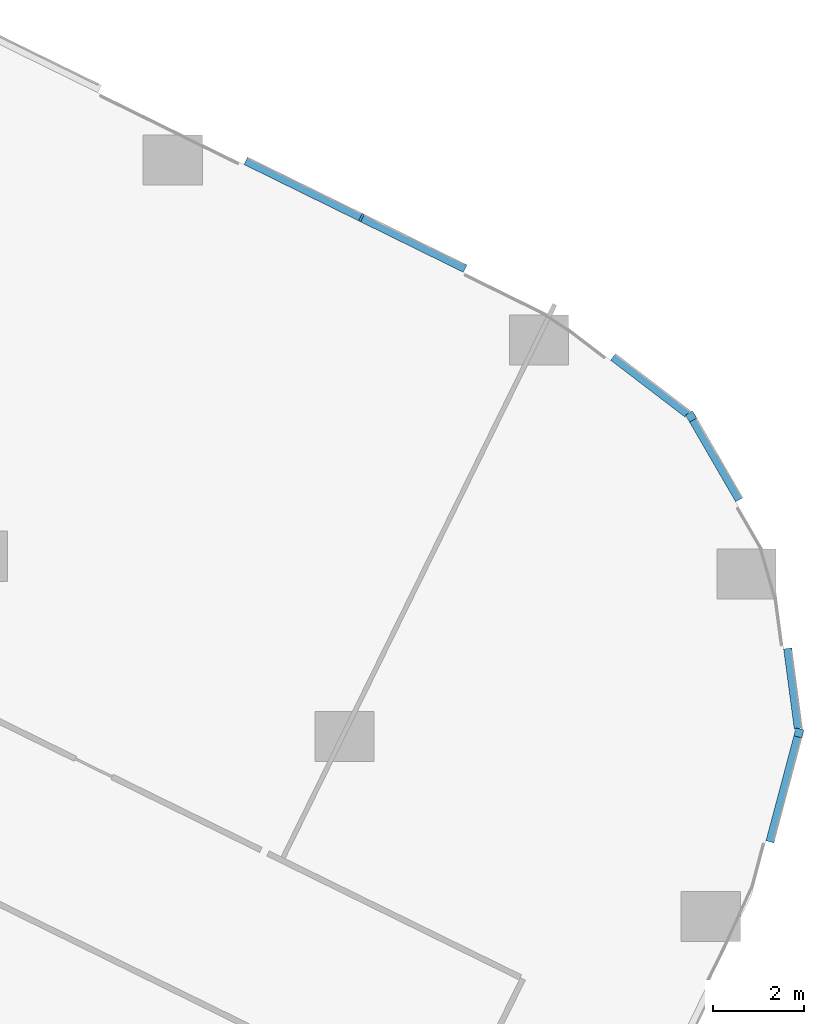
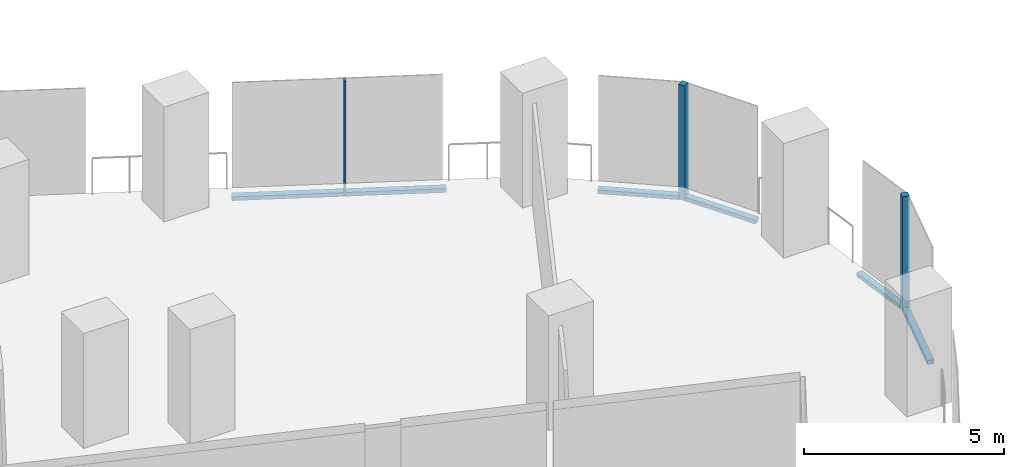
# One storey, part 11 of 32: 8 members, 5 elements without a shape of their own.
"""IFC4 building model written with IfcOpenShell, lengths in metres."""

from ifc_helpers import new_model, si_unit, direction, frame, origin, origin_2d, place, context, subcontext, project, spatial, rectangle, extrude, material, material_profile, profile_set, type_object, element, aggregate, save


model = new_model("IFC4")

# Units and contexts
model_context = context("Model", 3, precision=1e-05, world=origin(), true_north=direction((0.0, 1.0)))
body_context = subcontext(model_context, "Body", "Model", "MODEL_VIEW")
ifc_project = project(units=[si_unit("LENGTHUNIT", "METRE"), si_unit("AREAUNIT", "SQUARE_METRE"), si_unit("VOLUMEUNIT", "CUBIC_METRE"), si_unit("PLANEANGLEUNIT", "RADIAN"), si_unit("MASSUNIT", "GRAM", prefix="KILO")], contexts=[model_context])

# Site, building, storey
site_placement = place(None, origin())
site = spatial("IfcSite", under=ifc_project, at=site_placement, CompositionType="ELEMENT")
building_placement = place(site_placement, origin())
building = spatial("IfcBuilding", under=site, at=building_placement, Name="Orlundy Tower", CompositionType="ELEMENT")
storey_placement = place(building_placement, frame((0.0, 0.0, 58.800048828125)))
storey = spatial("IfcBuildingStorey", under=building, at=storey_placement, Name="L13", CompositionType="ELEMENT", Elevation=58.800048828125)

# Curtain wall, member
ifc_material_1 = material(Name="Aluminium bronze anodised", Category="aluminium")
curtain_wall_type = type_object("IfcCurtainWallType", Name="CW1 wall", PredefinedType="NOTDEFINED", material=ifc_material_1)
curtain_wall_1_placement = place(storey_placement, origin())
curtain_wall_1 = element("IfcCurtainWall", 1, at=curtain_wall_1_placement, inside=storey, type_object=curtain_wall_type, Name="CW1 run 020", PredefinedType="NOTDEFINED")
ifc_material_2 = material(Name="Aluminium bronze anodised", Category="aluminium")
ifc_material_profile_1 = material_profile(ifc_material_2, rectangle(XDim=0.179931640625, YDim=0.179931640625, at=origin_2d()), Name="CW1 corner post 180x180")
ifc_profile_set_1 = profile_set([ifc_material_profile_1], Name="Aluminium bronze anodised")
member_type_1 = type_object("IfcMemberType", Name="CW1 corner post 180x180", PredefinedType="MULLION", material=ifc_profile_set_1)
member_1_placement = place(storey_placement, frame((57.60595703125, -6.7314453125, -0.400146484375), z_axis=(0.0, 0.0, 1.0), x_axis=(0.865340088782, 0.501185126223, 0.0)))
member_1 = element("IfcMember", 2, at=member_1_placement, type_object=member_type_1, Name="CW1 mullion 58", PredefinedType="MULLION", context=body_context, shape_type="SweptSolid", body=[
    extrude(rectangle(XDim=0.179931640625, YDim=0.179931640625, at=origin_2d()), origin(), (0.0, 0.0, 1.0), 3.5),
])

curtain_wall_2_placement = place(storey_placement, origin())
curtain_wall_2 = element("IfcCurtainWall", 3, at=curtain_wall_2_placement, inside=storey, type_object=curtain_wall_type, Name="CW1 run 022", PredefinedType="NOTDEFINED")
member_2_placement = place(storey_placement, frame((59.9755859375, -13.679931640625, -0.400146484375), z_axis=(0.0, 0.0, 1.0), x_axis=(0.966315487466, -0.257360406209, 0.0)))
member_2 = element("IfcMember", 4, at=member_2_placement, type_object=member_type_1, Name="CW1 mullion 60", PredefinedType="MULLION", context=body_context, shape_type="SweptSolid", body=[
    extrude(rectangle(XDim=0.179931640625, YDim=0.179931640625, at=origin_2d()), origin(), (0.0, 0.0, 1.0), 3.5),
])

# Curtain wall, members
curtain_wall_3_placement = place(storey_placement, origin())
curtain_wall_3 = element("IfcCurtainWall", 5, at=curtain_wall_3_placement, inside=storey, type_object=curtain_wall_type, Name="CW1 run 018", PredefinedType="NOTDEFINED")
ifc_material_3 = material(Name="Aluminium bronze anodised", Category="aluminium")
ifc_material_profile_2 = material_profile(ifc_material_3, rectangle(XDim=0.179931640625, YDim=0.050048828125, at=origin_2d()), Name="CW1 mullion 50x180")
ifc_profile_set_2 = profile_set([ifc_material_profile_2], Name="Aluminium bronze anodised")
member_type_2 = type_object("IfcMemberType", Name="CW1 mullion 50x180", PredefinedType="MULLION", material=ifc_profile_set_2)
member_3_placement = place(storey_placement, frame((50.36474609375, -2.3623046875, -0.400146484375), z_axis=(0.0, 0.0, 1.0), x_axis=(0.440978180969, 0.897517823728, 0.0)))
member_3 = element("IfcMember", 6, at=member_3_placement, type_object=member_type_2, Name="CW1 mullion 56", PredefinedType="MULLION", context=body_context, shape_type="SweptSolid", body=[
    extrude(rectangle(XDim=0.179931640625, YDim=0.050048828125, at=origin_2d()), origin(), (0.0, 0.0, 1.0), 3.5),
])
ifc_material_4 = material(Name="Aluminium bronze anodised", Category="aluminium")
ifc_material_profile_3 = material_profile(ifc_material_4, rectangle(XDim=0.179931640625, YDim=0.1201171875, at=origin_2d()), Name="CW1 transom 180x120")
ifc_profile_set_3 = profile_set([ifc_material_profile_3], Name="Aluminium bronze anodised")
member_type_3 = type_object("IfcMemberType", Name="CW1 transom 180x120", PredefinedType="USERDEFINED", material=ifc_profile_set_3)
member_4_placement = place(storey_placement, frame((47.826171875, -1.114990234375, -0.340087890625), z_axis=(0.897515808128, -0.440982283272, 0.0), x_axis=(0.440982283272, 0.897515808128, 0.0)))
member_4 = element("IfcMember", 7, at=member_4_placement, type_object=member_type_3, Name="CW1 transom", ObjectType="TRANSOM", PredefinedType="USERDEFINED", context=body_context, shape_type="SweptSolid", body=[
    extrude(rectangle(XDim=0.179931640625, YDim=0.1201171875, at=origin_2d()), origin(), (0.0, 0.0, 1.0), 5.369140625),
])
aggregate(curtain_wall_3, [member_3, member_4])

# Curtain wall, member
curtain_wall_4_placement = place(storey_placement, origin())
curtain_wall_4 = element("IfcCurtainWall", 8, at=curtain_wall_4_placement, inside=storey, type_object=curtain_wall_type, Name="CW1 run 019", PredefinedType="NOTDEFINED")
member_5_placement = place(storey_placement, frame((55.89306640625, -5.421142578125, -0.340087890625), z_axis=(0.794287152778, -0.607542524382, 0.0), x_axis=(0.607542524382, 0.794287152778, 0.0)))
member_5 = element("IfcMember", 9, at=member_5_placement, type_object=member_type_3, Name="CW1 transom", ObjectType="TRANSOM", PredefinedType="USERDEFINED", context=body_context, shape_type="SweptSolid", body=[
    extrude(rectangle(XDim=0.179931640625, YDim=0.1201171875, at=origin_2d()), origin(), (0.0, 0.0, 1.0), 2.05908203125),
])
aggregate(curtain_wall_4, [member_5])

# Member
member_6_placement = place(storey_placement, frame((57.651123046875, -6.809326171875, -0.340087890625), z_axis=(0.501121905811, -0.86537670151, 0.0), x_axis=(0.86537670151, 0.501121905811, 0.0)))
member_6 = element("IfcMember", 10, at=member_6_placement, type_object=member_type_3, Name="CW1 transom", ObjectType="TRANSOM", PredefinedType="USERDEFINED", context=body_context, shape_type="SweptSolid", body=[
    extrude(rectangle(XDim=0.179931640625, YDim=0.1201171875, at=origin_2d()), origin(), (0.0, 0.0, 1.0), 2.022705078125),
])

aggregate(curtain_wall_1, [member_1, member_6])

# Curtain wall, member
curtain_wall_5_placement = place(storey_placement, origin())
curtain_wall_5 = element("IfcCurtainWall", 11, at=curtain_wall_5_placement, inside=storey, type_object=curtain_wall_type, Name="CW1 run 021", PredefinedType="NOTDEFINED")
member_7_placement = place(storey_placement, frame((59.728759765625, -11.826171875, -0.340087890625), z_axis=(0.131947195116, -0.991256746611, 0.0), x_axis=(0.991256746611, 0.131947195116, 0.0)))
member_7 = element("IfcMember", 12, at=member_7_placement, type_object=member_type_3, Name="CW1 transom", ObjectType="TRANSOM", PredefinedType="USERDEFINED", context=body_context, shape_type="SweptSolid", body=[
    extrude(rectangle(XDim=0.179931640625, YDim=0.1201171875, at=origin_2d()), origin(), (0.0, 0.0, 1.0), 1.7724609375),
])
aggregate(curtain_wall_5, [member_7])

# Member
member_8_placement = place(storey_placement, frame((59.952392578125, -13.766845703125, -0.340087890625), z_axis=(-0.257363287218, -0.966314720157, 0.0), x_axis=(0.966314720157, -0.257363287218, 0.0)))
member_8 = element("IfcMember", 13, at=member_8_placement, type_object=member_type_3, Name="CW1 transom", ObjectType="TRANSOM", PredefinedType="USERDEFINED", context=body_context, shape_type="SweptSolid", body=[
    extrude(rectangle(XDim=0.179931640625, YDim=0.1201171875, at=origin_2d()), origin(), (0.0, 0.0, 1.0), 2.3857421875),
])

aggregate(curtain_wall_2, [member_2, member_8])

save(model, "model.ifc")
